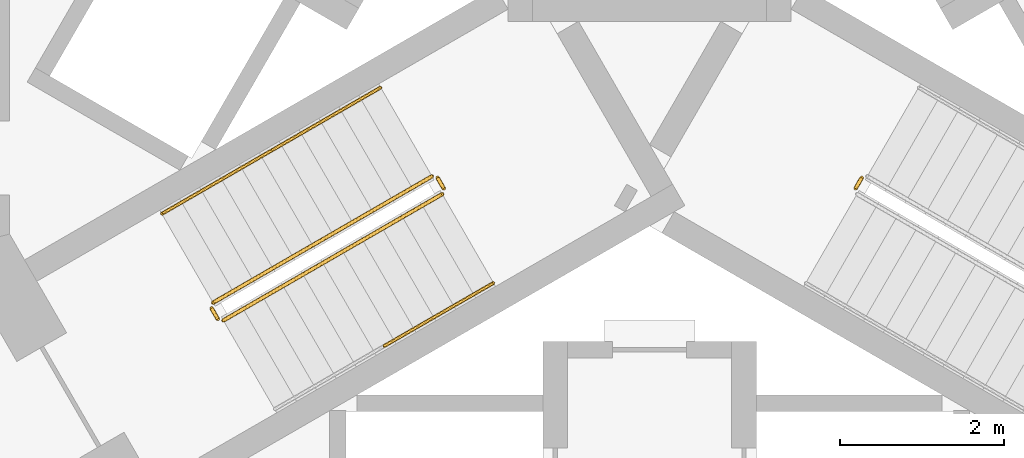
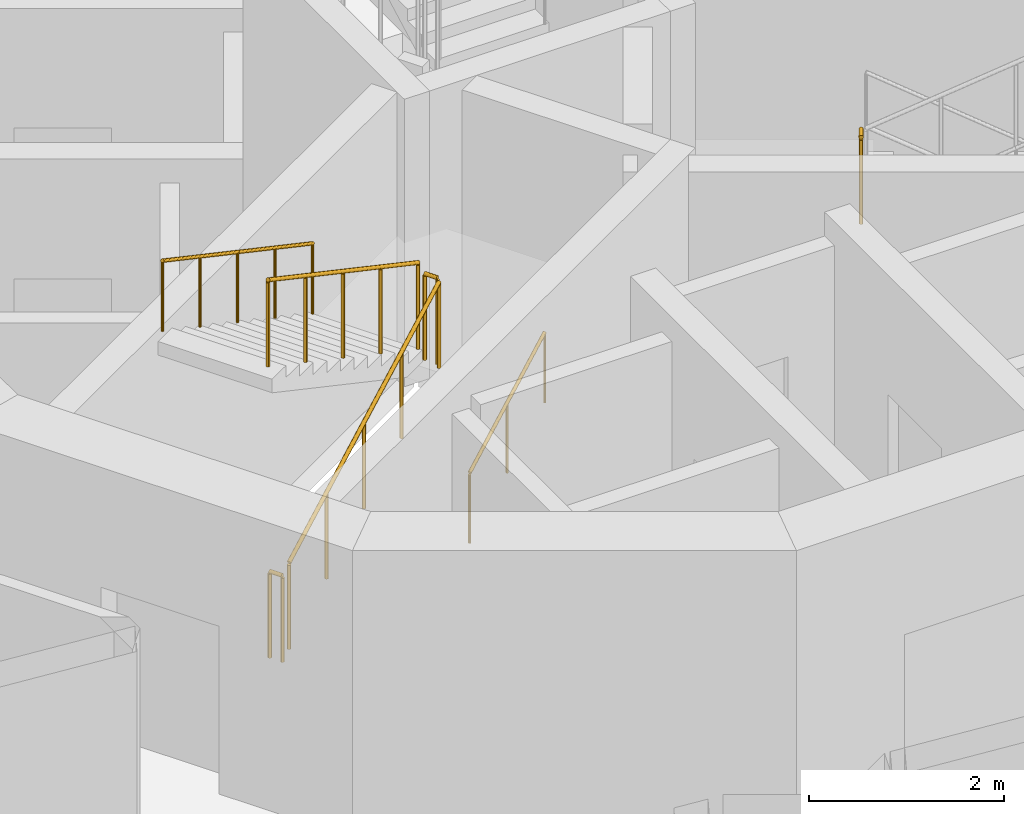
# One storey, part 12 of 17: 8 railings.
"""IFC4 building model written with IfcOpenShell, lengths in metres."""

import ifcopenshell
import ifcopenshell.guid

model = None  # the IFC model being written
_history = None  # IfcOwnerHistory: only IFC2X3 demands one
_inside = {}  # id of a spatial element -> (the spatial element, [elements in it])
_under = {}  # id of a project, library or spatial element -> (it, [spatial elements below it])
_declared = {}  # id of a project -> (the project, [libraries it declares])
_typed = {}  # id of a type object -> (the type object, [elements of that type])
_made_of = {}  # id of a material, layer set ... -> (it, [elements and type objects made of it])


def new_model(schema):
    """Start an empty IFC model of exactly this schema.

    Asked for "IFC4X3", IfcOpenShell would pick the latest addendum, in which some entities
    have other attributes; the version numbers below select the first issue.
    IFC2X3 requires an IfcOwnerHistory on every rooted entity: one is made here for all.
    """
    global model, _history
    if schema == "IFC4X3":
        model = ifcopenshell.file(schema_version=(4, 3, 0, 0))
    else:
        model = ifcopenshell.file(schema=schema)
    _inside.clear()
    _under.clear()
    _declared.clear()
    _typed.clear()
    _made_of.clear()
    _history = None
    if model.schema == "IFC2X3":
        org = make("IfcOrganization", Name="unknown")
        user = make(
            "IfcPersonAndOrganization",
            ThePerson=make("IfcPerson", FamilyName="unknown"),
            TheOrganization=org,
        )
        app = make(
            "IfcApplication",
            ApplicationDeveloper=org,
            Version="unknown",
            ApplicationFullName="unknown",
            ApplicationIdentifier="unknown",
        )
        _history = make(
            "IfcOwnerHistory",
            OwningUser=user,
            OwningApplication=app,
            ChangeAction="ADDED",
            CreationDate=0,
        )
    return model


def make(cls, **values):
    """One entity of the class cls with the attributes given. An attribute that is None is left unset."""
    return model.create_entity(
        cls, **{name: value for name, value in values.items() if value is not None}
    )


def rooted(cls, **values):
    """An entity with a GlobalId (a new one), such as an element, a storey or a relation."""
    return make(cls, GlobalId=ifcopenshell.guid.new(), OwnerHistory=_history, **values)


def si_unit(unit_type, name, prefix=None):
    """IfcSIUnit, for example si_unit("LENGTHUNIT", "METRE", prefix="MILLI")."""
    return make("IfcSIUnit", UnitType=unit_type, Prefix=prefix, Name=name)


def assignment(units):
    """IfcUnitAssignment: the units of a project."""
    return None if units is None else make("IfcUnitAssignment", Units=units)


def point(xyz):
    """IfcCartesianPoint."""
    return None if xyz is None else make("IfcCartesianPoint", Coordinates=xyz)


def direction(xyz):
    """IfcDirection."""
    return None if xyz is None else make("IfcDirection", DirectionRatios=xyz)


def frame(location, z_axis=None, x_axis=None):
    """IfcAxis2Placement3D, a coordinate frame: its origin and axes. An axis left out is left unset."""
    return make(
        "IfcAxis2Placement3D",
        Location=point(location),
        Axis=direction(z_axis),
        RefDirection=direction(x_axis),
    )


def frame_2d(location, x_axis=None):
    """IfcAxis2Placement2D, a coordinate frame in the plane: its origin and x axis."""
    return make(
        "IfcAxis2Placement2D", Location=point(location), RefDirection=direction(x_axis)
    )


def origin():
    """The frame at (0, 0, 0) with its axes left unset."""
    return frame((0.0, 0.0, 0.0))


def origin_2d():
    """The frame at (0, 0) in the plane with its x axis left unset."""
    return frame_2d((0.0, 0.0))


def place(relative_to, where):
    """IfcLocalPlacement: puts the frame where relative to a parent placement (None: the world)."""
    return make(
        "IfcLocalPlacement", PlacementRelTo=relative_to, RelativePlacement=where
    )


def context(
    kind, dimensions, precision=None, world=None, true_north=None, identifier=None
):
    """IfcGeometricRepresentationContext, for example the 3D "Model" context."""
    return make(
        "IfcGeometricRepresentationContext",
        ContextIdentifier=identifier,
        ContextType=kind,
        CoordinateSpaceDimension=dimensions,
        Precision=precision,
        WorldCoordinateSystem=world,
        TrueNorth=true_north,
    )


def subcontext(parent, identifier, kind, view, scale=None):
    """IfcGeometricRepresentationSubContext, for example "Body" below "Model"."""
    return make(
        "IfcGeometricRepresentationSubContext",
        ContextIdentifier=identifier,
        ContextType=kind,
        ParentContext=parent,
        TargetScale=scale,
        TargetView=view,
    )


def project(units=None, contexts=None):
    """IfcProject with its units and contexts."""
    return rooted(
        "IfcProject",
        Name="project",
        RepresentationContexts=contexts,
        UnitsInContext=assignment(units),
    )


def spatial(cls, under=None, at=None, **own):
    """A site, building, storey or space (cls), placed at a placement, below another one or the project."""
    s = rooted(cls, ObjectPlacement=at, **own)
    if under is not None:
        _under.setdefault(under.id(), (under, []))[1].append(s)
    return s


def profile(cls, at=None, kind="AREA", **sizes):
    """A parametric profile (cls). Its sizes go by their IFC names, for example OverallWidth=200.0."""
    return make(cls, ProfileType=kind, Position=at, **sizes)


def circle(**sizes):
    """IfcCircleProfileDef."""
    return profile("IfcCircleProfileDef", **sizes)


def extrude(swept, where, along, depth):
    """IfcExtrudedAreaSolid: the profile swept, set in the frame where, extruded along a direction by depth."""
    return make(
        "IfcExtrudedAreaSolid",
        SweptArea=swept,
        Position=where,
        ExtrudedDirection=direction(along),
        Depth=depth,
    )


def shape(context_of_items, identifier, shape_type, items):
    """IfcShapeRepresentation: the items that make up one representation, for example the "Body"."""
    return make(
        "IfcShapeRepresentation",
        ContextOfItems=context_of_items,
        RepresentationIdentifier=identifier,
        RepresentationType=shape_type,
        Items=items,
    )


def material(Name=None, Category=None):
    """IfcMaterial."""
    return make("IfcMaterial", Name=Name, Category=Category)


def made_of(thing, what):
    """Note that an element or type object is made of a material, layer set ...; save() writes the relation."""
    if what is not None:
        _made_of.setdefault(what.id(), (what, []))[1].append(thing)
    return thing


def type_object(cls, material=None, **own):
    """A type object (cls), such as IfcWallType, which elements share."""
    return made_of(rooted(cls, **own), material)


def element(
    cls,
    number,
    at=None,
    inside=None,
    cuts=None,
    type_object=None,
    material=None,
    context=None,
    identifier="Body",
    shape_type=None,
    held_by="IfcProductDefinitionShape",
    body=None,
    shapes=None,
    **own,
):
    """One element of the class cls, such as IfcWall. Its Tag is "e" and its number.

    at: its placement. inside: the storey or other place that contains it. cuts: it is an
    opening in that element (IfcRelVoidsElement). A single representation is given by context,
    identifier, shape_type and body (its items); several are given by shapes. held_by: the class
    of the entity that holds the representations. save() writes the other relations.
    """
    e = rooted(cls, Tag="e%d" % number, ObjectPlacement=at, **own)
    if body is not None:
        shapes = [shape(context, identifier, shape_type, body)]
    if shapes is not None:
        e.Representation = make(held_by, Representations=shapes)
    if inside is not None:
        _inside.setdefault(inside.id(), (inside, []))[1].append(e)
    if cuts is not None:
        rooted(
            "IfcRelVoidsElement", RelatingBuildingElement=cuts, RelatedOpeningElement=e
        )
    if type_object is not None:
        _typed.setdefault(type_object.id(), (type_object, []))[1].append(e)
    return made_of(e, material)


def aggregate(whole, parts):
    """IfcRelAggregates: a whole, such as a stair, and the parts it consists of."""
    return rooted("IfcRelAggregates", RelatingObject=whole, RelatedObjects=parts)


def save(model, path):
    """Write the relations noted so far, then the file.

    IfcRelAggregates (storeys below a building ...), IfcRelContainedInSpatialStructure (elements
    in a storey), IfcRelDefinesByType, IfcRelAssociatesMaterial and IfcRelDeclares: one each for
    every whole, place, type object, material and project.
    """
    for whole, parts in _under.values():
        aggregate(whole, parts)
    for where, things in _inside.values():
        rooted(
            "IfcRelContainedInSpatialStructure",
            RelatedElements=things,
            RelatingStructure=where,
        )
    for kind, things in _typed.values():
        rooted("IfcRelDefinesByType", RelatedObjects=things, RelatingType=kind)
    for what, things in _made_of.values():
        rooted("IfcRelAssociatesMaterial", RelatedObjects=things, RelatingMaterial=what)
    for by, libraries in _declared.values():
        rooted("IfcRelDeclares", RelatingContext=by, RelatedDefinitions=libraries)
    model.write(path)


model = new_model("IFC4")

# Units and contexts
model_context = context("Model", 3, precision=1e-05, world=origin(), true_north=direction((0.0, 1.0)))
body_context = subcontext(model_context, "Body", "Model", "MODEL_VIEW")
ifc_project = project(units=[si_unit("LENGTHUNIT", "METRE"), si_unit("AREAUNIT", "SQUARE_METRE"), si_unit("VOLUMEUNIT", "CUBIC_METRE"), si_unit("PLANEANGLEUNIT", "RADIAN"), si_unit("MASSUNIT", "GRAM", prefix="KILO")], contexts=[model_context])

# Site, building, storey
site_placement = place(None, origin())
site = spatial("IfcSite", under=ifc_project, at=site_placement, CompositionType="ELEMENT")
building_placement = place(site_placement, origin())
building = spatial("IfcBuilding", under=site, at=building_placement, Name="Trine Commons Tower", CompositionType="ELEMENT")
storey_placement = place(building_placement, frame((0.0, 0.0, 212.39990234375)))
storey = spatial("IfcBuildingStorey", under=building, at=storey_placement, Name="L55", CompositionType="ELEMENT", Elevation=212.39990234375)

# Railings
ifc_material_1 = material(Name="Stainless steel balustrade", Category="steel")
railing_type_1 = type_object("IfcRailingType", Name="Stair guard, steel balustrade 1100", PredefinedType="GUARDRAIL", material=ifc_material_1)
railing_1_placement = place(storey_placement, frame((74.80517578125, 59.3564453125, 0.150146484375)))
element("IfcRailing", 1, at=railing_1_placement, inside=storey, type_object=railing_type_1, Name="L55 ST2C stair guard 1", PredefinedType="GUARDRAIL", context=body_context, shape_type="SweptSolid", body=[
    extrude(circle(Radius=0.02392578125, at=origin_2d()), frame((0.0, 0.0, 1.076171875), z_axis=(0.76340495495, 0.440743040072, 0.472184759798), x_axis=(-0.499992328818, 0.866029832698, 0.0)), (0.0, 0.0, 1.0), 3.494140625),
    extrude(circle(Radius=0.02099609375, at=origin_2d()), origin(), (0.0, 0.0, 1.0), 1.052001953125),
    extrude(circle(Radius=0.02099609375, at=origin_2d()), frame((0.6669921875, 0.385009765625, 0.41259765625)), (0.0, 0.0, 1.0), 1.052001953125),
    extrude(circle(Radius=0.02099609375, at=origin_2d()), frame((1.333740234375, 0.77001953125, 0.824951171875)), (0.0, 0.0, 1.0), 1.052001953125),
    extrude(circle(Radius=0.02099609375, at=origin_2d()), frame((2.00048828125, 1.155029296875, 1.2373046875)), (0.0, 0.0, 1.0), 1.052001953125),
    extrude(circle(Radius=0.02099609375, at=origin_2d()), frame((2.66748046875, 1.5400390625, 1.64990234375)), (0.0, 0.0, 1.0), 1.052001953125),
])
railing_2_placement = place(storey_placement, frame((77.490966796875, 60.96484375, 1.800048828125)))
element("IfcRailing", 2, at=railing_2_placement, inside=storey, type_object=railing_type_1, Name="L55 ST2C stair guard 2", PredefinedType="GUARDRAIL", context=body_context, shape_type="SweptSolid", body=[
    extrude(circle(Radius=0.02392578125, at=origin_2d()), frame((0.0, 0.0, 1.076171875), z_axis=(-0.501036270542, 0.865426285481, 0.0), x_axis=(-0.865426285481, -0.501036270542, 0.0)), (0.0, 0.0, 1.0), 0.150146484375),
    extrude(circle(Radius=0.02099609375, at=origin_2d()), origin(), (0.0, 0.0, 1.0), 1.052001953125),
    extrude(circle(Radius=0.02099609375, at=origin_2d()), frame((-0.0751953125, 0.1298828125, 0.0)), (0.0, 0.0, 1.0), 1.052001953125),
])
railing_3_placement = place(storey_placement, frame((77.34765625, 61.113037109375, 1.9501953125)))
element("IfcRailing", 3, at=railing_3_placement, inside=storey, type_object=railing_type_1, Name="L55 ST2C stair guard 3", PredefinedType="GUARDRAIL", context=body_context, shape_type="SweptSolid", body=[
    extrude(circle(Radius=0.02392578125, at=origin_2d()), frame((0.0, 0.0, 1.076171875), z_axis=(-0.76340495495, -0.440743040072, 0.472184759798), x_axis=(0.499992328818, -0.866029832698, 0.0)), (0.0, 0.0, 1.0), 3.494140625),
    extrude(circle(Radius=0.02099609375, at=origin_2d()), origin(), (0.0, 0.0, 1.0), 1.052001953125),
    extrude(circle(Radius=0.02099609375, at=origin_2d()), frame((-0.6669921875, -0.385009765625, 0.41259765625)), (0.0, 0.0, 1.0), 1.052001953125),
    extrude(circle(Radius=0.02099609375, at=origin_2d()), frame((-1.333740234375, -0.77001953125, 0.824951171875)), (0.0, 0.0, 1.0), 1.052001953125),
    extrude(circle(Radius=0.02099609375, at=origin_2d()), frame((-2.00048828125, -1.155029296875, 1.2373046875)), (0.0, 0.0, 1.0), 1.052001953125),
    extrude(circle(Radius=0.02099609375, at=origin_2d()), frame((-2.66748046875, -1.5400390625, 1.64990234375)), (0.0, 0.0, 1.0), 1.052001953125),
])
railing_4_placement = place(storey_placement, frame((74.73681640625, 59.374755859375, 0.0)))
element("IfcRailing", 4, at=railing_4_placement, inside=storey, type_object=railing_type_1, Name="L55 ST2C stair guard 4", PredefinedType="GUARDRAIL", context=body_context, shape_type="SweptSolid", body=[
    extrude(circle(Radius=0.02392578125, at=origin_2d()), frame((0.0, 0.0, 1.076171875), z_axis=(-0.499816412211, 0.866131372301, 0.0), x_axis=(-0.866131372301, -0.499816412211, 0.0)), (0.0, 0.0, 1.0), 0.14990234375),
    extrude(circle(Radius=0.02099609375, at=origin_2d()), origin(), (0.0, 0.0, 1.0), 1.052001953125),
    extrude(circle(Radius=0.02099609375, at=origin_2d()), frame((-0.074951171875, 0.1298828125, 0.0)), (0.0, 0.0, 1.0), 1.052001953125),
])
railing_5_placement = place(storey_placement, frame((82.584228515625, 61.0947265625, 1.800048828125)))
element("IfcRailing", 5, at=railing_5_placement, inside=storey, type_object=railing_type_1, Name="L55 ST3C stair guard 2", PredefinedType="GUARDRAIL", context=body_context, shape_type="SweptSolid", body=[
    extrude(circle(Radius=0.02392578125, at=origin_2d()), frame((0.0, 0.0, 1.076171875), z_axis=(-0.501036270542, -0.865426285481, 0.0), x_axis=(0.865426285481, -0.501036270542, 0.0)), (0.0, 0.0, 1.0), 0.150146484375),
    extrude(circle(Radius=0.02099609375, at=origin_2d()), origin(), (0.0, 0.0, 1.0), 1.052001953125),
    extrude(circle(Radius=0.02099609375, at=origin_2d()), frame((-0.0751953125, -0.1298828125, 0.0)), (0.0, 0.0, 1.0), 1.052001953125),
])
ifc_material_2 = material(Name="Stainless steel handrail", Category="steel")
railing_type_2 = type_object("IfcRailingType", Name="Stair handrail, steel 900", PredefinedType="HANDRAIL", material=ifc_material_2)
railing_6_placement = place(storey_placement, frame((76.763916015625, 59.0439453125, 0.97509765625)))
element("IfcRailing", 6, at=railing_6_placement, inside=storey, type_object=railing_type_2, Name="L55 ST2C stair handrail 2", PredefinedType="HANDRAIL", context=body_context, shape_type="SweptSolid", body=[
    extrude(circle(Radius=0.02099609375, at=origin_2d()), frame((0.0, 0.0, 0.87890625), z_axis=(0.76340495495, 0.440743040072, 0.472184759798), x_axis=(-0.499992328818, 0.866029832698, 0.0)), (0.0, 0.0, 1.0), 1.7470703125),
    extrude(circle(Radius=0.01513671875, at=origin_2d()), origin(), (0.0, 0.0, 1.0), 0.85791015625),
    extrude(circle(Radius=0.01513671875, at=origin_2d()), frame((0.6669921875, 0.385009765625, 0.41259765625)), (0.0, 0.0, 1.0), 0.85791015625),
    extrude(circle(Radius=0.01513671875, at=origin_2d()), frame((1.333740234375, 0.77001953125, 0.824951171875)), (0.0, 0.0, 1.0), 0.85791015625),
])
for number, where, name in (
    (7, (76.72265625, 62.195556640625, 1.9501953125), "L55 ST2C stair handrail 3"),
    (8, (75.388916015625, 61.425537109375, 2.775146484375), "L55 ST2C stair handrail 4"),
):
    element("IfcRailing", number, at=place(storey_placement, frame(where)), inside=storey, type_object=railing_type_2, Name=name, PredefinedType="HANDRAIL", context=body_context, shape_type="SweptSolid", body=[
        extrude(circle(Radius=0.02099609375, at=origin_2d()), frame((0.0, 0.0, 0.87890625), z_axis=(-0.76340495495, -0.440743040072, 0.472184759798), x_axis=(0.499992328818, -0.866029832698, 0.0)), (0.0, 0.0, 1.0), 1.7470703125),
        extrude(circle(Radius=0.01513671875, at=origin_2d()), origin(), (0.0, 0.0, 1.0), 0.85791015625),
        extrude(circle(Radius=0.01513671875, at=origin_2d()), frame((-0.6669921875, -0.385009765625, 0.41259765625)), (0.0, 0.0, 1.0), 0.85791015625),
        extrude(circle(Radius=0.01513671875, at=origin_2d()), frame((-1.333740234375, -0.77001953125, 0.824951171875)), (0.0, 0.0, 1.0), 0.85791015625),
    ])

save(model, "model.ifc")
